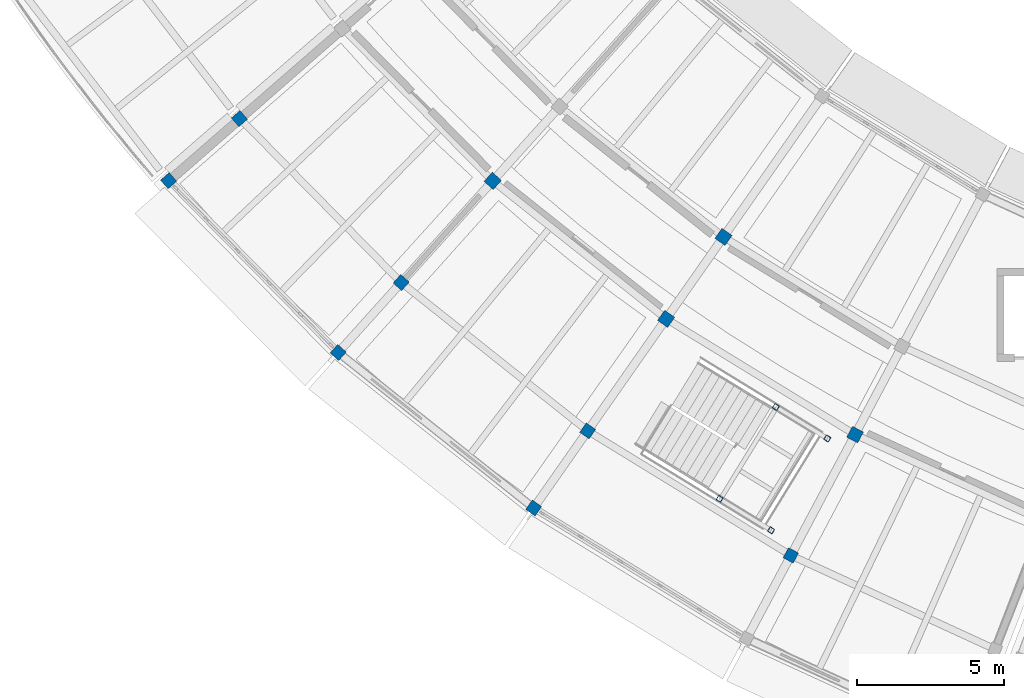
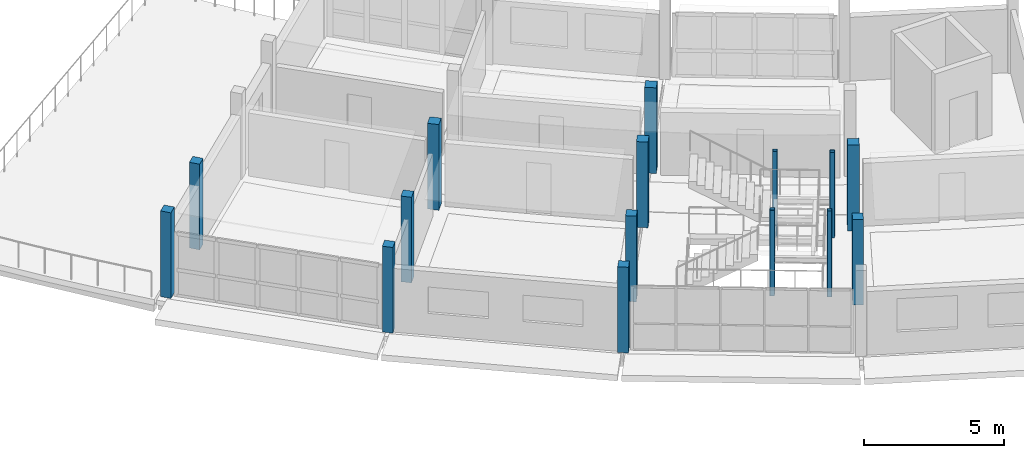
# One storey, part 3 of 66: 15 columns.
"""IFC4 building model written with IfcOpenShell, lengths in metres."""

import ifcopenshell
import ifcopenshell.guid

model = None  # the IFC model being written
_history = None  # IfcOwnerHistory: only IFC2X3 demands one
_inside = {}  # id of a spatial element -> (the spatial element, [elements in it])
_under = {}  # id of a project, library or spatial element -> (it, [spatial elements below it])
_declared = {}  # id of a project -> (the project, [libraries it declares])
_typed = {}  # id of a type object -> (the type object, [elements of that type])
_made_of = {}  # id of a material, layer set ... -> (it, [elements and type objects made of it])


def new_model(schema):
    """Start an empty IFC model of exactly this schema.

    Asked for "IFC4X3", IfcOpenShell would pick the latest addendum, in which some entities
    have other attributes; the version numbers below select the first issue.
    IFC2X3 requires an IfcOwnerHistory on every rooted entity: one is made here for all.
    """
    global model, _history
    if schema == "IFC4X3":
        model = ifcopenshell.file(schema_version=(4, 3, 0, 0))
    else:
        model = ifcopenshell.file(schema=schema)
    _inside.clear()
    _under.clear()
    _declared.clear()
    _typed.clear()
    _made_of.clear()
    _history = None
    if model.schema == "IFC2X3":
        org = make("IfcOrganization", Name="unknown")
        user = make(
            "IfcPersonAndOrganization",
            ThePerson=make("IfcPerson", FamilyName="unknown"),
            TheOrganization=org,
        )
        app = make(
            "IfcApplication",
            ApplicationDeveloper=org,
            Version="unknown",
            ApplicationFullName="unknown",
            ApplicationIdentifier="unknown",
        )
        _history = make(
            "IfcOwnerHistory",
            OwningUser=user,
            OwningApplication=app,
            ChangeAction="ADDED",
            CreationDate=0,
        )
    return model


def make(cls, **values):
    """One entity of the class cls with the attributes given. An attribute that is None is left unset."""
    return model.create_entity(
        cls, **{name: value for name, value in values.items() if value is not None}
    )


def rooted(cls, **values):
    """An entity with a GlobalId (a new one), such as an element, a storey or a relation."""
    return make(cls, GlobalId=ifcopenshell.guid.new(), OwnerHistory=_history, **values)


def si_unit(unit_type, name, prefix=None):
    """IfcSIUnit, for example si_unit("LENGTHUNIT", "METRE", prefix="MILLI")."""
    return make("IfcSIUnit", UnitType=unit_type, Prefix=prefix, Name=name)


def assignment(units):
    """IfcUnitAssignment: the units of a project."""
    return None if units is None else make("IfcUnitAssignment", Units=units)


def point(xyz):
    """IfcCartesianPoint."""
    return None if xyz is None else make("IfcCartesianPoint", Coordinates=xyz)


def direction(xyz):
    """IfcDirection."""
    return None if xyz is None else make("IfcDirection", DirectionRatios=xyz)


def frame(location, z_axis=None, x_axis=None):
    """IfcAxis2Placement3D, a coordinate frame: its origin and axes. An axis left out is left unset."""
    return make(
        "IfcAxis2Placement3D",
        Location=point(location),
        Axis=direction(z_axis),
        RefDirection=direction(x_axis),
    )


def frame_2d(location, x_axis=None):
    """IfcAxis2Placement2D, a coordinate frame in the plane: its origin and x axis."""
    return make(
        "IfcAxis2Placement2D", Location=point(location), RefDirection=direction(x_axis)
    )


def origin():
    """The frame at (0, 0, 0) with its axes left unset."""
    return frame((0.0, 0.0, 0.0))


def origin_2d():
    """The frame at (0, 0) in the plane with its x axis left unset."""
    return frame_2d((0.0, 0.0))


def place(relative_to, where):
    """IfcLocalPlacement: puts the frame where relative to a parent placement (None: the world)."""
    return make(
        "IfcLocalPlacement", PlacementRelTo=relative_to, RelativePlacement=where
    )


def context(
    kind, dimensions, precision=None, world=None, true_north=None, identifier=None
):
    """IfcGeometricRepresentationContext, for example the 3D "Model" context."""
    return make(
        "IfcGeometricRepresentationContext",
        ContextIdentifier=identifier,
        ContextType=kind,
        CoordinateSpaceDimension=dimensions,
        Precision=precision,
        WorldCoordinateSystem=world,
        TrueNorth=true_north,
    )


def subcontext(parent, identifier, kind, view, scale=None):
    """IfcGeometricRepresentationSubContext, for example "Body" below "Model"."""
    return make(
        "IfcGeometricRepresentationSubContext",
        ContextIdentifier=identifier,
        ContextType=kind,
        ParentContext=parent,
        TargetScale=scale,
        TargetView=view,
    )


def project(units=None, contexts=None):
    """IfcProject with its units and contexts."""
    return rooted(
        "IfcProject",
        Name="project",
        RepresentationContexts=contexts,
        UnitsInContext=assignment(units),
    )


def spatial(cls, under=None, at=None, **own):
    """A site, building, storey or space (cls), placed at a placement, below another one or the project."""
    s = rooted(cls, ObjectPlacement=at, **own)
    if under is not None:
        _under.setdefault(under.id(), (under, []))[1].append(s)
    return s


def profile(cls, at=None, kind="AREA", **sizes):
    """A parametric profile (cls). Its sizes go by their IFC names, for example OverallWidth=200.0."""
    return make(cls, ProfileType=kind, Position=at, **sizes)


def rectangle(**sizes):
    """IfcRectangleProfileDef."""
    return profile("IfcRectangleProfileDef", **sizes)


def hollow_rectangle(**sizes):
    """IfcRectangleHollowProfileDef."""
    return profile("IfcRectangleHollowProfileDef", **sizes)


def extrude(swept, where, along, depth):
    """IfcExtrudedAreaSolid: the profile swept, set in the frame where, extruded along a direction by depth."""
    return make(
        "IfcExtrudedAreaSolid",
        SweptArea=swept,
        Position=where,
        ExtrudedDirection=direction(along),
        Depth=depth,
    )


def shape(context_of_items, identifier, shape_type, items):
    """IfcShapeRepresentation: the items that make up one representation, for example the "Body"."""
    return make(
        "IfcShapeRepresentation",
        ContextOfItems=context_of_items,
        RepresentationIdentifier=identifier,
        RepresentationType=shape_type,
        Items=items,
    )


def material(Name=None, Category=None):
    """IfcMaterial."""
    return make("IfcMaterial", Name=Name, Category=Category)


def material_profile(
    of_material, cross_section, Name=None, Category=None, Priority=None
):
    """IfcMaterialProfile: a cross section and its material."""
    return make(
        "IfcMaterialProfile",
        Name=Name,
        Material=of_material,
        Profile=cross_section,
        Priority=Priority,
        Category=Category,
    )


def profile_set(profiles, Name=None, composite=None):
    """IfcMaterialProfileSet."""
    return make(
        "IfcMaterialProfileSet",
        Name=Name,
        MaterialProfiles=profiles,
        CompositeProfile=composite,
    )


def made_of(thing, what):
    """Note that an element or type object is made of a material, layer set ...; save() writes the relation."""
    if what is not None:
        _made_of.setdefault(what.id(), (what, []))[1].append(thing)
    return thing


def type_object(cls, material=None, **own):
    """A type object (cls), such as IfcWallType, which elements share."""
    return made_of(rooted(cls, **own), material)


def element(
    cls,
    number,
    at=None,
    inside=None,
    cuts=None,
    type_object=None,
    material=None,
    context=None,
    identifier="Body",
    shape_type=None,
    held_by="IfcProductDefinitionShape",
    body=None,
    shapes=None,
    **own,
):
    """One element of the class cls, such as IfcWall. Its Tag is "e" and its number.

    at: its placement. inside: the storey or other place that contains it. cuts: it is an
    opening in that element (IfcRelVoidsElement). A single representation is given by context,
    identifier, shape_type and body (its items); several are given by shapes. held_by: the class
    of the entity that holds the representations. save() writes the other relations.
    """
    e = rooted(cls, Tag="e%d" % number, ObjectPlacement=at, **own)
    if body is not None:
        shapes = [shape(context, identifier, shape_type, body)]
    if shapes is not None:
        e.Representation = make(held_by, Representations=shapes)
    if inside is not None:
        _inside.setdefault(inside.id(), (inside, []))[1].append(e)
    if cuts is not None:
        rooted(
            "IfcRelVoidsElement", RelatingBuildingElement=cuts, RelatedOpeningElement=e
        )
    if type_object is not None:
        _typed.setdefault(type_object.id(), (type_object, []))[1].append(e)
    return made_of(e, material)


def aggregate(whole, parts):
    """IfcRelAggregates: a whole, such as a stair, and the parts it consists of."""
    return rooted("IfcRelAggregates", RelatingObject=whole, RelatedObjects=parts)


def save(model, path):
    """Write the relations noted so far, then the file.

    IfcRelAggregates (storeys below a building ...), IfcRelContainedInSpatialStructure (elements
    in a storey), IfcRelDefinesByType, IfcRelAssociatesMaterial and IfcRelDeclares: one each for
    every whole, place, type object, material and project.
    """
    for whole, parts in _under.values():
        aggregate(whole, parts)
    for where, things in _inside.values():
        rooted(
            "IfcRelContainedInSpatialStructure",
            RelatedElements=things,
            RelatingStructure=where,
        )
    for kind, things in _typed.values():
        rooted("IfcRelDefinesByType", RelatedObjects=things, RelatingType=kind)
    for what, things in _made_of.values():
        rooted("IfcRelAssociatesMaterial", RelatedObjects=things, RelatingMaterial=what)
    for by, libraries in _declared.values():
        rooted("IfcRelDeclares", RelatingContext=by, RelatedDefinitions=libraries)
    model.write(path)


model = new_model("IFC4")

# Units and contexts
model_context = context("Model", 3, precision=1e-05, world=origin(), true_north=direction((0.0, 1.0)))
body_context = subcontext(model_context, "Body", "Model", "MODEL_VIEW")
ifc_project = project(units=[si_unit("LENGTHUNIT", "METRE"), si_unit("AREAUNIT", "SQUARE_METRE"), si_unit("VOLUMEUNIT", "CUBIC_METRE"), si_unit("PLANEANGLEUNIT", "RADIAN"), si_unit("MASSUNIT", "GRAM", prefix="KILO")], contexts=[model_context])

# Site, building, storey
site_placement = place(None, origin())
site = spatial("IfcSite", under=ifc_project, at=site_placement, CompositionType="ELEMENT")
building_placement = place(site_placement, origin())
building = spatial("IfcBuilding", under=site, at=building_placement, Name="Caldaven Crescent School", CompositionType="ELEMENT")
storey_placement = place(building_placement, frame((0.0, 0.0, 8.159912109375)))
storey = spatial("IfcBuildingStorey", under=building, at=storey_placement, Name="L02", CompositionType="ELEMENT", Elevation=8.159912109375)

# Columns
ifc_material_1 = material(Name="Glulam MLE24h (GL28h)", Category="wood")
ifc_material_profile_1 = material_profile(ifc_material_1, rectangle(XDim=0.389892578125, YDim=0.389892578125, at=origin_2d()), Name="MLE 390x390")
ifc_profile_set_1 = profile_set([ifc_material_profile_1], Name="Glulam MLE24h (GL28h)")
column_type_1 = type_object("IfcColumnType", Name="COL-GL39", PredefinedType="COLUMN", material=ifc_profile_set_1)
for number, where, z_axis, x_axis, name in (
    (1, (38.103759765625, 52.265625, 0.0), (0.0, 0.0, 1.0), (-0.752069916777, -0.659083333334, 0.0), "COL-V4W-L02-00-3"),
    (2, (35.697509765625, 50.15625, 0.0), (0.0, 0.0, 1.0), (-0.752069916777, -0.659083333334, 0.0), "COL-V4W-L02-00-4"),
    (3, (43.603271484375, 46.6923828125, 0.0), (0.0, 0.0, 1.0), (-0.669130606359, -0.743144825477, 0.0), "COL-V4W-L02-01-3"),
    (4, (41.4619140625, 44.314208984375, 0.0), (0.0, 0.0, 1.0), (-0.669130606359, -0.743144825477, 0.0), "COL-V4W-L02-01-4"),
    (5, (49.943115234375, 41.649169921875, 0.0), (0.0, 0.0, 1.0), (-0.573576436351, -0.819152044289, 0.0), "COL-V4W-L02-02-3"),
    (6, (48.107666015625, 39.028076171875, 0.0), (0.0, 0.0, 1.0), (-0.573576436351, -0.819152044289, 0.0), "COL-V4W-L02-02-4"),
    (7, (56.8505859375, 37.41650390625, 0.0), (0.0, 0.0, 1.0), (-0.469471562786, -0.882947592859, 0.0), "COL-V4W-L02-03-3"),
):
    element("IfcColumn", number, at=place(storey_placement, frame(where, z_axis=z_axis, x_axis=x_axis)), inside=storey, type_object=column_type_1, Name=name, PredefinedType="COLUMN", context=body_context, shape_type="SweptSolid", body=[
        extrude(rectangle(XDim=0.389892578125, YDim=0.389892578125, at=origin_2d()), origin(), (0.0, 0.0, 1.0), 3.739990234375),
    ])
ifc_material_profile_2 = material_profile(ifc_material_1, rectangle(XDim=0.419921875, YDim=0.419921875, at=origin_2d()), Name="MLE 420x420")
ifc_profile_set_2 = profile_set([ifc_material_profile_2], Name="Glulam MLE24h (GL28h)")
column_type_2 = type_object("IfcColumnType", Name="COL-GL42", PredefinedType="COLUMN", material=ifc_profile_set_2)
for number, where, z_axis, x_axis, name in (
    (8, (46.714599609375, 50.14794921875, 0.0), (0.0, 0.0, 1.0), (-0.669130606359, -0.743144825477, 0.0), "COL-V4W-L02-01-2"),
    (9, (54.560546875, 48.243408203125, 0.0), (0.0, 0.0, 1.0), (-0.573576436351, -0.819152044289, 0.0), "COL-V4W-L02-02-1"),
    (10, (52.6103515625, 45.458251953125, 0.0), (0.0, 0.0, 1.0), (-0.573576436351, -0.819152044289, 0.0), "COL-V4W-L02-02-2"),
    (11, (59.03369140625, 41.522216796875, 0.0), (0.0, 0.0, 1.0), (-0.469471562786, -0.882947592859, 0.0), "COL-V4W-L02-03-2"),
):
    element("IfcColumn", number, at=place(storey_placement, frame(where, z_axis=z_axis, x_axis=x_axis)), inside=storey, type_object=column_type_2, Name=name, PredefinedType="COLUMN", context=body_context, shape_type="SweptSolid", body=[
        extrude(rectangle(XDim=0.419921875, YDim=0.419921875, at=origin_2d()), origin(), (0.0, 0.0, 1.0), 3.739990234375),
    ])
ifc_material_2 = material(Name="Steel ASTM A572 Grade 50", Category="steel")
ifc_material_profile_3 = material_profile(ifc_material_2, hollow_rectangle(XDim=0.179931640625, YDim=0.179931640625, WallThickness=0.010009765625, InnerFilletRadius=0.010009765625, OuterFilletRadius=0.02001953125, at=origin_2d()), Name="HSS 180x180x10")
ifc_profile_set_3 = profile_set([ifc_material_profile_3], Name="Steel ASTM A572 Grade 50")
column_type_3 = type_object("IfcColumnType", Name="COL-HS18", PredefinedType="COLUMN", material=ifc_profile_set_3)
for number, where, z_axis, x_axis, name in (
    (12, (54.428955078125, 39.341552734375, 0.0), (0.0, 0.0, 1.0), (0.852640164354, -0.522498564716, 0.0), "COL-STPOST-ST1-L02-A"),
    (13, (56.34130859375, 42.462158203125, 0.0), (0.0, 0.0, 1.0), (0.852640164354, -0.522498564716, 0.0), "COL-STPOST-ST1-L02-B"),
    (14, (56.177001953125, 38.2705078125, 0.0), (0.0, 0.0, 1.0), (0.852640164354, -0.522498564716, 0.0), "COL-STPOST-ST1-L02-C"),
    (15, (58.08935546875, 41.39111328125, 0.0), (0.0, 0.0, 1.0), (0.852640164354, -0.522498564716, 0.0), "COL-STPOST-ST1-L02-D"),
):
    element("IfcColumn", number, at=place(storey_placement, frame(where, z_axis=z_axis, x_axis=x_axis)), inside=storey, type_object=column_type_3, Name=name, PredefinedType="COLUMN", context=body_context, shape_type="SweptSolid", body=[
        extrude(hollow_rectangle(XDim=0.179931640625, YDim=0.179931640625, WallThickness=0.010009765625, InnerFilletRadius=0.010009765625, OuterFilletRadius=0.02001953125, at=origin_2d()), origin(), (0.0, 0.0, 1.0), 3.739990234375),
    ])

save(model, "model.ifc")
